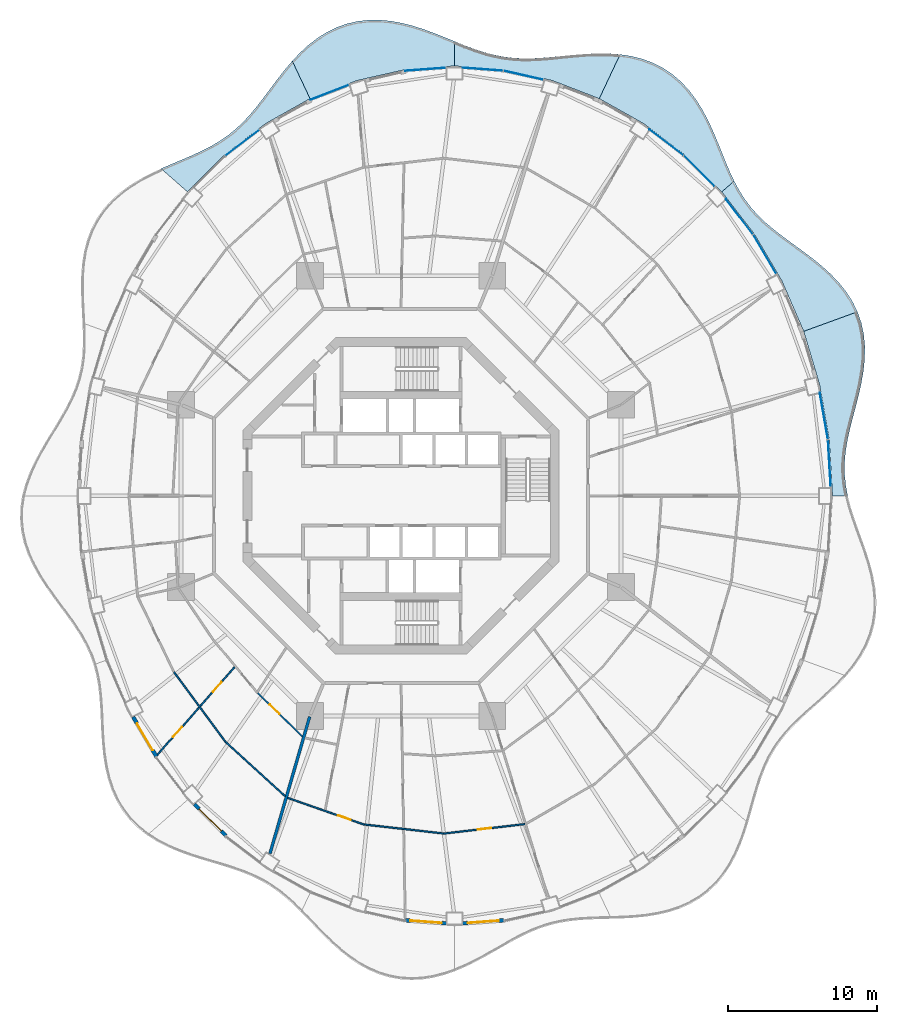
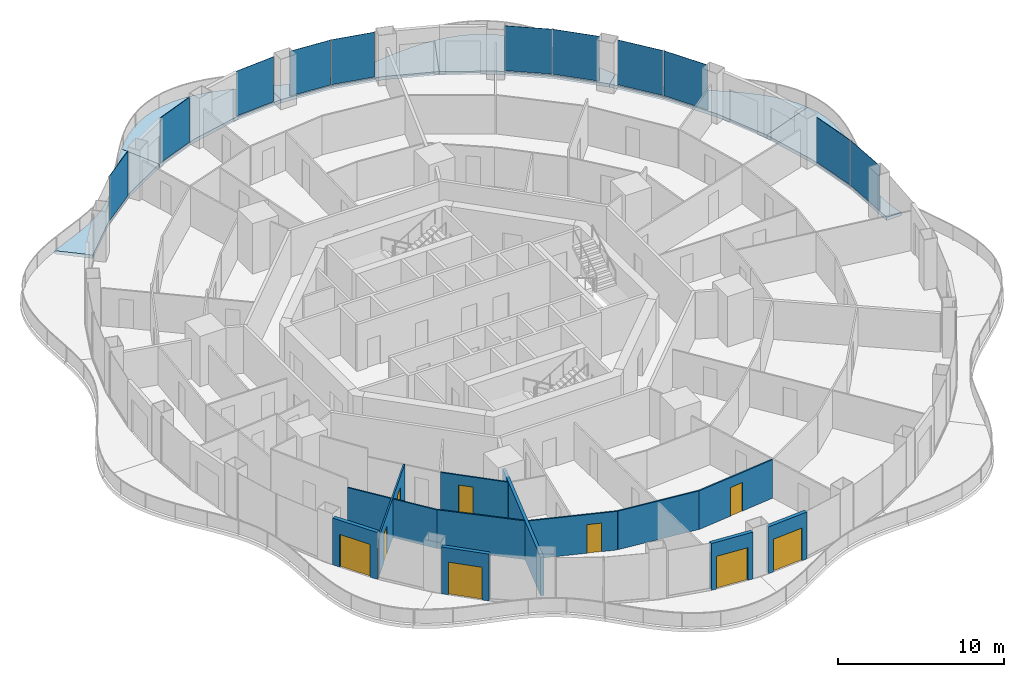
# One storey, part 10 of 19: 12 walls, 11 plates, 9 doors, 6 slabs, 9 openings, 11 elements without a shape of their own.
"""IFC4 building model written with IfcOpenShell, lengths in metres."""

from ifc_helpers import new_model, si_unit, direction, frame, frame_2d, origin, origin_2d, place, context, subcontext, project, spatial, polyline, rectangle, outline, extrude, material, layer, layer_set, type_object, element, fill, aggregate, save


model = new_model("IFC4")

# Units and contexts
model_context = context("Model", 3, precision=1e-05, world=origin(), true_north=direction((0.0, 1.0)))
body_context = subcontext(model_context, "Body", "Model", "MODEL_VIEW")
ifc_project = project(units=[si_unit("LENGTHUNIT", "METRE"), si_unit("AREAUNIT", "SQUARE_METRE"), si_unit("VOLUMEUNIT", "CUBIC_METRE"), si_unit("PLANEANGLEUNIT", "RADIAN"), si_unit("MASSUNIT", "GRAM", prefix="KILO")], contexts=[model_context])

# Site, building, storey
site_placement = place(None, origin())
site = spatial("IfcSite", under=ifc_project, at=site_placement, CompositionType="ELEMENT")
building_placement = place(site_placement, origin())
building = spatial("IfcBuilding", under=site, at=building_placement, Name="Nagisa Residences", CompositionType="ELEMENT")
storey_placement = place(building_placement, frame((0.0, 0.0, 173.300048828125)))
storey = spatial("IfcBuildingStorey", under=building, at=storey_placement, Name="L43", CompositionType="ELEMENT", Elevation=173.300048828125)

# Slabs
ifc_material_1 = material(Name="Concrete C40/50", Category="concrete")
ifc_layer_1 = layer(ifc_material_1, 0.25)
ifc_layer_set_1 = layer_set([ifc_layer_1], Name="BALCONY SLAB 250")
slab_type = type_object("IfcSlabType", Name="BALCONY SLAB 250", PredefinedType="FLOOR", material=ifc_layer_set_1)
slab_1_placement = place(storey_placement, frame((0.0, 0.0, -0.25)))
element("IfcSlab", 1, at=slab_1_placement, inside=storey, type_object=slab_type, Name="slab:L43:bal00", PredefinedType="FLOOR", context=body_context, shape_type="SweptSolid", body=[
    extrude(outline(polyline([(30.00048828125, 0.0), (29.86572265625, 0.723876953125), (29.79443359375, 1.4453125), (29.788818359375, 2.16943359375), (29.846923828125, 2.900634765625), (29.962158203125, 3.643310546875), (30.123779296875, 4.400634765625), (30.3173828125, 5.173828125), (30.526123046875, 5.963623046875), (30.731689453125, 6.767822265625), (30.91455078125, 7.583251953125), (31.056396484375, 8.405029296875), (31.1396484375, 9.226318359375), (31.150390625, 10.04052734375), (31.076904296875, 10.83984375), (30.912109375, 11.616455078125), (30.6533203125, 12.364013671875), (27.04345703125, 11.050048828125), (28.1103515625, 7.473388671875), (28.7578125, 3.76904296875), (28.97509765625, 0.0), (30.00048828125, 0.0)])), origin(), (0.0, 0.0, 1.0), 0.25),
])
slab_2_placement = place(storey_placement, frame((0.0, 0.0, -0.25)))
element("IfcSlab", 2, at=slab_2_placement, inside=storey, type_object=slab_type, Name="slab:L43:bal01", PredefinedType="FLOOR", context=body_context, shape_type="SweptSolid", body=[
    extrude(outline(polyline([(30.6533203125, 12.364013671875), (30.31396484375, 13.05517578125), (29.8935546875, 13.7099609375), (29.400146484375, 14.32666015625), (28.845947265625, 14.9052734375), (28.244873046875, 15.448486328125), (27.612548828125, 15.960693359375), (26.96484375, 16.4482421875), (26.31787109375, 16.9189453125), (25.68603515625, 17.3818359375), (25.081787109375, 17.846923828125), (24.515380859375, 18.323486328125), (23.993896484375, 18.82080078125), (23.520263671875, 19.3466796875), (23.094482421875, 19.9072265625), (22.713134765625, 20.506103515625), (22.36962890625, 21.144287109375), (21.542724609375, 20.417724609375), (23.7314453125, 17.577880859375), (25.575439453125, 14.4375), (27.04345703125, 11.050048828125), (30.6533203125, 12.364013671875)])), origin(), (0.0, 0.0, 1.0), 0.25),
])
slab_3_placement = place(storey_placement, frame((0.0, 0.0, -0.25)))
element("IfcSlab", 3, at=slab_3_placement, inside=storey, type_object=slab_type, Name="slab:L43:bal02", PredefinedType="FLOOR", context=body_context, shape_type="SweptSolid", body=[
    extrude(outline(polyline([(22.36962890625, 21.144287109375), (22.068603515625, 21.78759765625), (21.783447265625, 22.461181640625), (21.5029296875, 23.157958984375), (21.2158203125, 23.869873046875), (20.910888671875, 24.58642578125), (20.5771484375, 25.295654296875), (20.2060546875, 25.9853515625), (19.789794921875, 26.642822265625), (19.323486328125, 27.255615234375), (18.803955078125, 27.81298828125), (18.231201171875, 28.3056640625), (17.607421875, 28.726318359375), (16.9365234375, 29.071044921875), (16.22509765625, 29.338134765625), (15.48046875, 29.529296875), (14.711669921875, 29.649658203125), (13.310546875, 26.677001953125), (16.28759765625, 25.006591796875), (19.04736328125, 22.907958984375), (21.542724609375, 20.417724609375), (22.36962890625, 21.144287109375)])), origin(), (0.0, 0.0, 1.0), 0.25),
])
slab_4_placement = place(storey_placement, frame((0.0, 0.0, -0.25)))
element("IfcSlab", 4, at=slab_4_placement, inside=storey, type_object=slab_type, Name="slab:L43:bal03", PredefinedType="FLOOR", context=body_context, shape_type="SweptSolid", body=[
    extrude(outline(polyline([(14.711669921875, 29.649658203125), (13.9560546875, 29.70556640625), (13.194091796875, 29.712158203125), (12.433349609375, 29.68017578125), (11.679931640625, 29.6220703125), (10.939208984375, 29.550537109375), (10.214599609375, 29.478759765625), (9.50830078125, 29.41943359375), (8.820068359375, 29.38330078125), (8.14892578125, 29.380126953125), (7.491943359375, 29.416748046875), (6.845458984375, 29.498046875), (6.20458984375, 29.625244140625), (5.564453125, 29.796875), (4.919921875, 30.008544921875), (4.266357421875, 30.253173828125), (3.60009765625, 30.520751953125), (3.60009765625, 28.875), (6.912109375, 28.6279296875), (10.16748046875, 27.89111328125), (13.310546875, 26.677001953125), (14.711669921875, 29.649658203125)])), origin(), (0.0, 0.0, 1.0), 0.25),
])
slab_5_placement = place(storey_placement, frame((0.0, 0.0, -0.25)))
element("IfcSlab", 5, at=slab_5_placement, inside=storey, type_object=slab_type, Name="slab:L43:bal04", PredefinedType="FLOOR", context=body_context, shape_type="SweptSolid", body=[
    extrude(outline(polyline([(3.60009765625, 30.520751953125), (2.918212890625, 30.7998046875), (2.219970703125, 31.0771484375), (1.505126953125, 31.338623046875), (0.77587890625, 31.570556640625), (0.034912109375, 31.759521484375), (-0.712646484375, 31.89306640625), (-1.461669921875, 31.9609375), (-2.205322265625, 31.955078125), (-2.9375, 31.869873046875), (-3.651611328125, 31.703125), (-4.34130859375, 31.455322265625), (-5.002197265625, 31.129638671875), (-5.6298828125, 30.732421875), (-6.22265625, 30.2724609375), (-6.780029296875, 29.760498046875), (-7.303466796875, 29.2080078125), (-6.110595703125, 26.677001953125), (-2.967529296875, 27.89111328125), (0.287841796875, 28.6279296875), (3.60009765625, 28.875), (3.60009765625, 30.520751953125)])), origin(), (0.0, 0.0, 1.0), 0.25),
])
slab_6_placement = place(storey_placement, frame((0.0, 0.0, -0.25)))
element("IfcSlab", 6, at=slab_6_placement, inside=storey, type_object=slab_type, Name="slab:L43:bal05", PredefinedType="FLOOR", context=body_context, shape_type="SweptSolid", body=[
    extrude(outline(polyline([(-7.303466796875, 29.2080078125), (-7.814208984375, 28.606201171875), (-8.29736328125, 27.989501953125), (-8.760009765625, 27.372314453125), (-9.210693359375, 26.767578125), (-9.658447265625, 26.186279296875), (-10.112548828125, 25.63720703125), (-10.581787109375, 25.126953125), (-11.07373046875, 24.658935546875), (-11.594970703125, 24.2333984375), (-12.149658203125, 23.847900390625), (-12.739990234375, 23.497802734375), (-13.365234375, 23.17578125), (-14.022216796875, 22.872802734375), (-14.705322265625, 22.5791015625), (-15.406494140625, 22.28369140625), (-16.11572265625, 21.975830078125), (-14.3427734375, 20.417724609375), (-11.847412109375, 22.907958984375), (-9.08740234375, 25.006591796875), (-6.110595703125, 26.677001953125), (-7.303466796875, 29.2080078125)])), origin(), (0.0, 0.0, 1.0), 0.25),
])

# Curtain wall, plate
ifc_material_2 = material(Name="Concrete-coloured aluminium curtain wall system", Category="concrete")
ifc_layer_2 = layer(ifc_material_2, 0.159912109375)
ifc_layer_set_2 = layer_set([ifc_layer_2], Name="CW1 CURTAIN WALL")
curtain_wall_type = type_object("IfcCurtainWallType", Name="CW1 CURTAIN WALL", PredefinedType="NOTDEFINED", material=ifc_layer_set_2)
curtain_wall_1_placement = place(storey_placement, origin())
curtain_wall_1 = element("IfcCurtainWall", 7, at=curtain_wall_1_placement, inside=storey, type_object=curtain_wall_type, Name="cw:CW1:L43:00", PredefinedType="NOTDEFINED")
ifc_material_3 = material(Name="Clear laminated glass", Category="glass")
ifc_layer_3 = layer(ifc_material_3, 0.028076171875)
ifc_layer_set_3 = layer_set([ifc_layer_3], Name="CW1 GLASS PANEL")
plate_type = type_object("IfcPlateType", Name="CW1 GLASS PANEL", PredefinedType="CURTAIN_PANEL", material=ifc_layer_set_3)
plate_1_placement = place(storey_placement, frame((28.76904296875, 2.184326171875, 0.14990234375), z_axis=(0.0, 0.0, 1.0), x_axis=(-0.057503492216, 0.998345305184, 0.0)))
plate_1 = element("IfcPlate", 8, at=plate_1_placement, type_object=plate_type, Name="CW1 panel", PredefinedType="CURTAIN_PANEL", context=body_context, shape_type="SweptSolid", body=[
    extrude(rectangle(XDim=3.165283203125, YDim=0.028076171875, at=origin_2d()), origin(), (0.0, 0.0, 1.0), 3.2900390625),
])
aggregate(curtain_wall_1, [plate_1])

curtain_wall_2_placement = place(storey_placement, origin())
curtain_wall_2 = element("IfcCurtainWall", 9, at=curtain_wall_2_placement, inside=storey, type_object=curtain_wall_type, Name="cw:CW1:L43:01", PredefinedType="NOTDEFINED")
plate_2_placement = place(storey_placement, frame((28.3974609375, 5.365966796875, 0.14990234375), z_axis=(0.0, 0.0, 1.0), x_axis=(-0.172190868898, 0.985063604377, 0.0)))
plate_2 = element("IfcPlate", 10, at=plate_2_placement, type_object=plate_type, Name="CW1 panel", PredefinedType="CURTAIN_PANEL", context=body_context, shape_type="SweptSolid", body=[
    extrude(rectangle(XDim=3.150634765625, YDim=0.028076171875, at=origin_2d()), origin(), (0.0, 0.0, 1.0), 3.2900390625),
])
aggregate(curtain_wall_2, [plate_2])

curtain_wall_3_placement = place(storey_placement, origin())
curtain_wall_3 = element("IfcCurtainWall", 11, at=curtain_wall_3_placement, inside=storey, type_object=curtain_wall_type, Name="cw:CW1:L43:04", PredefinedType="NOTDEFINED")
plate_3_placement = place(storey_placement, frame((24.429931640625, 16.230224609375, 0.14990234375), z_axis=(0.0, 0.0, 1.0), x_axis=(-0.506348567002, 0.862328898214, 0.0)))
plate_3 = element("IfcPlate", 12, at=plate_3_placement, type_object=plate_type, Name="CW1 panel", PredefinedType="CURTAIN_PANEL", context=body_context, shape_type="SweptSolid", body=[
    extrude(rectangle(XDim=3.031982421875, YDim=0.028076171875, at=origin_2d()), origin(), (0.0, 0.0, 1.0), 3.2900390625),
])
aggregate(curtain_wall_3, [plate_3])

curtain_wall_4_placement = place(storey_placement, origin())
curtain_wall_4 = element("IfcCurtainWall", 13, at=curtain_wall_4_placement, inside=storey, type_object=curtain_wall_type, Name="cw:CW1:L43:05", PredefinedType="NOTDEFINED")
plate_4_placement = place(storey_placement, frame((22.723388671875, 18.7548828125, 0.14990234375), z_axis=(0.0, 0.0, 1.0), x_axis=(-0.610429828235, 0.792070340816, 0.0)))
plate_4 = element("IfcPlate", 14, at=plate_4_placement, type_object=plate_type, Name="CW1 panel", PredefinedType="CURTAIN_PANEL", context=body_context, shape_type="SweptSolid", body=[
    extrude(rectangle(XDim=2.97509765625, YDim=0.028076171875, at=origin_2d()), origin(), (0.0, 0.0, 1.0), 3.2900390625),
])
aggregate(curtain_wall_4, [plate_4])

curtain_wall_5_placement = place(storey_placement, origin())
curtain_wall_5 = element("IfcCurtainWall", 15, at=curtain_wall_5_placement, inside=storey, type_object=curtain_wall_type, Name="cw:CW1:L43:06", PredefinedType="NOTDEFINED")
plate_5_placement = place(storey_placement, frame((20.022705078125, 21.82177734375, 0.14990234375), z_axis=(0.0, 0.0, 1.0), x_axis=(-0.707835924016, 0.706376885714, 0.0)))
plate_5 = element("IfcPlate", 16, at=plate_5_placement, type_object=plate_type, Name="CW1 panel", PredefinedType="CURTAIN_PANEL", context=body_context, shape_type="SweptSolid", body=[
    extrude(rectangle(XDim=2.91552734375, YDim=0.028076171875, at=origin_2d()), origin(), (0.0, 0.0, 1.0), 3.2900390625),
])
aggregate(curtain_wall_5, [plate_5])

curtain_wall_6_placement = place(storey_placement, origin())
curtain_wall_6 = element("IfcCurtainWall", 17, at=curtain_wall_6_placement, inside=storey, type_object=curtain_wall_type, Name="cw:CW1:L43:07", PredefinedType="NOTDEFINED")
plate_6_placement = place(storey_placement, frame((17.81396484375, 23.745361328125, 0.14990234375), z_axis=(0.0, 0.0, 1.0), x_axis=(-0.79603132756, 0.605255421737, 0.0)))
plate_6 = element("IfcPlate", 18, at=plate_6_placement, type_object=plate_type, Name="CW1 panel", PredefinedType="CURTAIN_PANEL", context=body_context, shape_type="SweptSolid", body=[
    extrude(rectangle(XDim=2.85693359375, YDim=0.028076171875, at=origin_2d()), origin(), (0.0, 0.0, 1.0), 3.2900390625),
])
aggregate(curtain_wall_6, [plate_6])

curtain_wall_7_placement = place(storey_placement, origin())
curtain_wall_7 = element("IfcCurtainWall", 19, at=curtain_wall_7_placement, inside=storey, type_object=curtain_wall_type, Name="cw:CW1:L43:10", PredefinedType="NOTDEFINED")
plate_7_placement = place(storey_placement, frame((8.224609375, 28.248779296875, 0.14990234375), z_axis=(0.0, 0.0, 1.0), x_axis=(-0.975327274089, 0.2207639201, 0.0)))
plate_7 = element("IfcPlate", 20, at=plate_7_placement, type_object=plate_type, Name="CW1 panel", PredefinedType="CURTAIN_PANEL", context=body_context, shape_type="SweptSolid", body=[
    extrude(rectangle(XDim=2.727783203125, YDim=0.028076171875, at=origin_2d()), origin(), (0.0, 0.0, 1.0), 3.2900390625),
])
aggregate(curtain_wall_7, [plate_7])

curtain_wall_8_placement = place(storey_placement, origin())
curtain_wall_8 = element("IfcCurtainWall", 21, at=curtain_wall_8_placement, inside=storey, type_object=curtain_wall_type, Name="cw:CW1:L43:11", PredefinedType="NOTDEFINED")
plate_8_placement = place(storey_placement, frame((5.494384765625, 28.653564453125, 0.14990234375), z_axis=(0.0, 0.0, 1.0), x_axis=(-0.997230168512, 0.074377355493, 0.0)))
plate_8 = element("IfcPlate", 22, at=plate_8_placement, type_object=plate_type, Name="CW1 panel", PredefinedType="CURTAIN_PANEL", context=body_context, shape_type="SweptSolid", body=[
    extrude(rectangle(XDim=2.711181640625, YDim=0.028076171875, at=origin_2d()), origin(), (0.0, 0.0, 1.0), 3.2900390625),
])
aggregate(curtain_wall_8, [plate_8])

curtain_wall_9_placement = place(storey_placement, origin())
curtain_wall_9 = element("IfcCurtainWall", 23, at=curtain_wall_9_placement, inside=storey, type_object=curtain_wall_type, Name="cw:CW1:L43:12", PredefinedType="NOTDEFINED")
plate_9_placement = place(storey_placement, frame((1.645751953125, 28.64892578125, 0.14990234375), z_axis=(0.0, 0.0, 1.0), x_axis=(-0.997230168512, -0.074377355493, 0.0)))
plate_9 = element("IfcPlate", 24, at=plate_9_placement, type_object=plate_type, Name="CW1 panel", PredefinedType="CURTAIN_PANEL", context=body_context, shape_type="SweptSolid", body=[
    extrude(rectangle(XDim=2.711181640625, YDim=0.028076171875, at=origin_2d()), origin(), (0.0, 0.0, 1.0), 3.2900390625),
])
aggregate(curtain_wall_9, [plate_9])

curtain_wall_10_placement = place(storey_placement, origin())
curtain_wall_10 = element("IfcCurtainWall", 25, at=curtain_wall_10_placement, inside=storey, type_object=curtain_wall_type, Name="cw:CW1:L43:14", PredefinedType="NOTDEFINED")
plate_10_placement = place(storey_placement, frame((-4.794677734375, 27.099609375, 0.14990234375), z_axis=(0.0, 0.0, 1.0), x_axis=(-0.932825759707, -0.360327770268, 0.0)))
plate_10 = element("IfcPlate", 26, at=plate_10_placement, type_object=plate_type, Name="CW1 panel", PredefinedType="CURTAIN_PANEL", context=body_context, shape_type="SweptSolid", body=[
    extrude(rectangle(XDim=2.75927734375, YDim=0.028076171875, at=origin_2d()), origin(), (0.0, 0.0, 1.0), 3.2900390625),
])
aggregate(curtain_wall_10, [plate_10])

curtain_wall_11_placement = place(storey_placement, origin())
curtain_wall_11 = element("IfcCurtainWall", 27, at=curtain_wall_11_placement, inside=storey, type_object=curtain_wall_type, Name="cw:CW1:L43:16", PredefinedType="NOTDEFINED")
plate_11_placement = place(storey_placement, frame((-10.661865234375, 23.708984375, 0.14990234375), z_axis=(0.0, 0.0, 1.0), x_axis=(-0.79603132756, -0.605255421737, 0.0)))
plate_11 = element("IfcPlate", 28, at=plate_11_placement, type_object=plate_type, Name="CW1 panel", PredefinedType="CURTAIN_PANEL", context=body_context, shape_type="SweptSolid", body=[
    extrude(rectangle(XDim=2.85693359375, YDim=0.028076171875, at=origin_2d()), origin(), (0.0, 0.0, 1.0), 3.2900390625),
])
aggregate(curtain_wall_11, [plate_11])

# Walls
ifc_material_4 = material(Name="Gypsum board on steel studs", Category="steel")
ifc_layer_4 = layer(ifc_material_4, 0.199951171875)
ifc_layer_set_4 = layer_set([ifc_layer_4], Name="Apartment compartment wall EI60 200")
wall_type_1 = type_object("IfcWallType", Name="Apartment compartment wall EI60 200", PredefinedType="PARTITIONING", material=ifc_layer_set_4)
wall_1_placement = place(storey_placement, frame((-6.136962890625, -14.830078125, 0.0), z_axis=(0.0, 0.0, 1.0), x_axis=(-0.278461169897, -0.96044748782, 0.0)))
element("IfcWall", 29, at=wall_1_placement, inside=storey, type_object=wall_type_1, Name="wall:L43:u05", PredefinedType="PARTITIONING", context=body_context, shape_type="SweptSolid", body=[
    extrude(rectangle(XDim=9.5732421875, YDim=0.199951171875, at=frame_2d((4.78662109375, 0.0))), origin(), (0.0, 0.0, 1.0), 2.8369140625),
])
ifc_material_5 = material(Name="Gypsum board on steel studs", Category="steel")
ifc_layer_5 = layer(ifc_material_5, 0.10009765625)
ifc_layer_set_5 = layer_set([ifc_layer_5], Name="Apartment partition 100")
wall_type_2 = type_object("IfcWallType", Name="Apartment partition 100", PredefinedType="PARTITIONING", material=ifc_layer_set_5)
wall_2_placement = place(storey_placement, frame((-15.264892578125, -11.821044921875, 0.0), z_axis=(0.0, 0.0, 1.0), x_axis=(0.594711348772, -0.803939308432, 0.0)))
element("IfcWall", 30, at=wall_2_placement, inside=storey, type_object=wall_type_2, Name="wall:L43:u65", PredefinedType="PARTITIONING", context=body_context, shape_type="SweptSolid", body=[
    extrude(rectangle(XDim=5.87158203125, YDim=0.10009765625, at=frame_2d((2.935791015625, 0.0))), origin(), (0.0, 0.0, 1.0), 2.8369140625),
])

# Wall, openings, doors
wall_3_placement = place(storey_placement, frame((-11.16015625, -11.485107421875, 0.0), z_axis=(0.0, 0.0, 1.0), x_axis=(-0.661275898802, -0.750142776852, 0.0)))
wall_3 = element("IfcWall", 31, at=wall_3_placement, inside=storey, type_object=wall_type_2, Name="wall:L43:u66", PredefinedType="PARTITIONING", context=body_context, shape_type="SweptSolid", body=[
    extrude(rectangle(XDim=8.08251953125, YDim=0.10009765625, at=frame_2d((4.041259765625, 0.0))), origin(), (0.0, 0.0, 1.0), 2.905029296875),
])
opening_1_placement = place(wall_3_placement, frame((5.38232421875, 0.0, 0.0)))
opening_1 = element("IfcOpeningElement", 32, at=opening_1_placement, cuts=wall_3, Name="Opening L43-U35", PredefinedType="OPENING", context=body_context, shape_type="SweptSolid", body=[
    extrude(rectangle(XDim=0.89990234375, YDim=2.10009765625, at=frame_2d((0.449951171875, 1.050048828125))), frame((0.0, 0.06005859375, 0.0), z_axis=(0.0, -1.0, 0.0), x_axis=(1.0, 0.0, 0.0)), (0.0, 0.0, 1.0), 0.1201171875),
])
opening_2_placement = place(wall_3_placement, frame((1.34130859375, 0.0, 0.0)))
opening_2 = element("IfcOpeningElement", 33, at=opening_2_placement, cuts=wall_3, Name="Opening L43-U37", PredefinedType="OPENING", context=body_context, shape_type="SweptSolid", body=[
    extrude(rectangle(XDim=0.89990234375, YDim=2.10009765625, at=frame_2d((0.449951171875, 1.050048828125))), frame((0.0, 0.06005859375, 0.0), z_axis=(0.0, -1.0, 0.0), x_axis=(1.0, 0.0, 0.0)), (0.0, 0.0, 1.0), 0.1201171875),
])
ifc_material_6 = material(Name="Timber door set", Category="wood")
door_type_1 = type_object("IfcDoorType", Name="Apartment door 900x2100", OperationType="NOTDEFINED", PredefinedType="DOOR", material=ifc_material_6)
door_1_placement = place(opening_1_placement, origin())
door_1 = element("IfcDoor", 34, at=door_1_placement, inside=storey, type_object=door_type_1, Name="Door to master bedroom, Apartment 43C", OperationType="SINGLE_SWING_LEFT", OverallHeight=2.10009765625, OverallWidth=0.89990234375, PredefinedType="DOOR", context=body_context, shape_type="SweptSolid", body=[
    extrude(rectangle(XDim=0.89990234375, YDim=2.10009765625, at=frame_2d((0.449951171875, 1.050048828125))), frame((0.0, 0.02490234375, 0.0), z_axis=(0.0, -1.0, 0.0), x_axis=(1.0, 0.0, 0.0)), (0.0, 0.0, 1.0), 0.050048828125),
])
fill(opening_1, door_1)
door_2_placement = place(opening_2_placement, origin())
door_2 = element("IfcDoor", 35, at=door_2_placement, inside=storey, type_object=door_type_1, Name="Door to kitchen, Apartment 43C", OperationType="SINGLE_SWING_LEFT", OverallHeight=2.10009765625, OverallWidth=0.89990234375, PredefinedType="DOOR", context=body_context, shape_type="SweptSolid", body=[
    extrude(rectangle(XDim=0.89990234375, YDim=2.10009765625, at=frame_2d((0.449951171875, 1.050048828125))), frame((0.0, 0.02490234375, 0.0), z_axis=(0.0, -1.0, 0.0), x_axis=(1.0, 0.0, 0.0)), (0.0, 0.0, 1.0), 0.050048828125),
])
fill(opening_2, door_2)

# Wall, opening, door
wall_4_placement = place(storey_placement, frame((-9.62744140625, -13.238037109375, 0.0), z_axis=(0.0, 0.0, 1.0), x_axis=(0.716919058692, -0.697156412352, 0.0)))
wall_4 = element("IfcWall", 36, at=wall_4_placement, inside=storey, type_object=wall_type_2, Name="wall:L43:u68", PredefinedType="PARTITIONING", context=body_context, shape_type="SweptSolid", body=[
    extrude(rectangle(XDim=4.2001953125, YDim=0.10009765625, at=frame_2d((2.10009765625, 0.0))), origin(), (0.0, 0.0, 1.0), 2.8369140625),
])
opening_3_placement = place(wall_4_placement, frame((1.130126953125, 0.0, 0.0)))
opening_3 = element("IfcOpeningElement", 37, at=opening_3_placement, cuts=wall_4, Name="Opening L43-U39", PredefinedType="OPENING", context=body_context, shape_type="SweptSolid", body=[
    extrude(rectangle(XDim=0.89990234375, YDim=2.10009765625, at=frame_2d((0.449951171875, 1.050048828125))), frame((0.0, 0.06005859375, 0.0), z_axis=(0.0, -1.0, 0.0), x_axis=(1.0, 0.0, 0.0)), (0.0, 0.0, 1.0), 0.1201171875),
])
door_3_placement = place(opening_3_placement, origin())
door_3 = element("IfcDoor", 38, at=door_3_placement, inside=storey, type_object=door_type_1, Name="Door to laundry, Apartment 43C", OperationType="SINGLE_SWING_LEFT", OverallHeight=2.10009765625, OverallWidth=0.89990234375, PredefinedType="DOOR", context=body_context, shape_type="SweptSolid", body=[
    extrude(rectangle(XDim=0.89990234375, YDim=2.10009765625, at=frame_2d((0.449951171875, 1.050048828125))), frame((0.0, 0.02490234375, 0.0), z_axis=(0.0, -1.0, 0.0), x_axis=(1.0, 0.0, 0.0)), (0.0, 0.0, 1.0), 0.050048828125),
])
fill(opening_3, door_3)

# Wall
wall_5_placement = place(storey_placement, frame((-11.765625, -16.534912109375, 0.0), z_axis=(0.0, 0.0, 1.0), x_axis=(0.73807320557, -0.674720640872, 0.0)))
element("IfcWall", 39, at=wall_5_placement, inside=storey, type_object=wall_type_2, Name="wall:L43:u69", PredefinedType="PARTITIONING", context=body_context, shape_type="SweptSolid", body=[
    extrude(rectangle(XDim=5.39892578125, YDim=0.10009765625, at=frame_2d((2.699462890625, 0.0))), origin(), (0.0, 0.0, 1.0), 2.8369140625),
])

# Wall, opening, door
wall_6_placement = place(storey_placement, frame((-7.612548828125, -20.2783203125, 0.0), z_axis=(0.0, 0.0, 1.0), x_axis=(0.943918212431, -0.330179357684, 0.0)))
wall_6 = element("IfcWall", 40, at=wall_6_placement, inside=storey, type_object=wall_type_2, Name="wall:L43:u71", PredefinedType="PARTITIONING", context=body_context, shape_type="SweptSolid", body=[
    extrude(rectangle(XDim=5.46728515625, YDim=0.10009765625, at=frame_2d((2.733642578125, 0.0))), origin(), (0.0, 0.0, 1.0), 2.8369140625),
])
opening_4_placement = place(wall_6_placement, frame((3.587890625, 0.0, 0.0)))
opening_4 = element("IfcOpeningElement", 41, at=opening_4_placement, cuts=wall_6, Name="Opening L43-U49", PredefinedType="OPENING", context=body_context, shape_type="SweptSolid", body=[
    extrude(rectangle(XDim=0.89990234375, YDim=2.10009765625, at=frame_2d((0.449951171875, 1.050048828125))), frame((0.0, 0.06005859375, 0.0), z_axis=(0.0, -1.0, 0.0), x_axis=(1.0, 0.0, 0.0)), (0.0, 0.0, 1.0), 0.1201171875),
])
door_4_placement = place(opening_4_placement, frame((0.89990234375, 0.0, 0.0), x_axis=(-1.0, 0.0, 0.0)))
door_4 = element("IfcDoor", 42, at=door_4_placement, inside=storey, type_object=door_type_1, Name="Door to master bedroom, Apartment 43D", OperationType="SINGLE_SWING_RIGHT", OverallHeight=2.10009765625, OverallWidth=0.89990234375, PredefinedType="DOOR", context=body_context, shape_type="SweptSolid", body=[
    extrude(rectangle(XDim=0.89990234375, YDim=2.10009765625, at=frame_2d((0.449951171875, 1.050048828125))), frame((0.0, 0.02490234375, 0.0), z_axis=(0.0, -1.0, 0.0), x_axis=(1.0, 0.0, 0.0)), (0.0, 0.0, 1.0), 0.050048828125),
])
fill(opening_4, door_4)

# Wall
wall_7_placement = place(storey_placement, frame((-2.449462890625, -22.07275390625, 0.0), z_axis=(0.0, 0.0, 1.0), x_axis=(0.993660315081, -0.112424099879, 0.0)))
element("IfcWall", 43, at=wall_7_placement, inside=storey, type_object=wall_type_2, Name="wall:L43:u73", PredefinedType="PARTITIONING", context=body_context, shape_type="SweptSolid", body=[
    extrude(rectangle(XDim=5.32470703125, YDim=0.10009765625, at=frame_2d((2.662353515625, 0.0))), origin(), (0.0, 0.0, 1.0), 2.8369140625),
])

# Wall, opening, door
wall_8_placement = place(storey_placement, frame((2.841552734375, -22.682861328125, 0.0), z_axis=(0.0, 0.0, 1.0), x_axis=(0.993248590259, 0.116005335864, 0.0)))
wall_8 = element("IfcWall", 44, at=wall_8_placement, inside=storey, type_object=wall_type_2, Name="wall:L43:u77", PredefinedType="PARTITIONING", context=body_context, shape_type="SweptSolid", body=[
    extrude(rectangle(XDim=5.507568359375, YDim=0.10009765625, at=frame_2d((2.75390625, 0.0))), origin(), (0.0, 0.0, 1.0), 2.8369140625),
])
opening_5_placement = place(wall_8_placement, frame((2.328857421875, 0.0, 0.0)))
opening_5 = element("IfcOpeningElement", 45, at=opening_5_placement, cuts=wall_8, Name="Opening L43-U50", PredefinedType="OPENING", context=body_context, shape_type="SweptSolid", body=[
    extrude(rectangle(XDim=0.89990234375, YDim=2.10009765625, at=frame_2d((0.449951171875, 1.050048828125))), frame((0.0, 0.06005859375, 0.0), z_axis=(0.0, -1.0, 0.0), x_axis=(1.0, 0.0, 0.0)), (0.0, 0.0, 1.0), 0.1201171875),
])
door_5_placement = place(opening_5_placement, frame((0.89990234375, 0.0, 0.0), x_axis=(-1.0, 0.0, 0.0)))
door_5 = element("IfcDoor", 46, at=door_5_placement, inside=storey, type_object=door_type_1, Name="Door to living room, Apartment 43D", OperationType="SINGLE_SWING_LEFT", OverallHeight=2.10009765625, OverallWidth=0.89990234375, PredefinedType="DOOR", context=body_context, shape_type="SweptSolid", body=[
    extrude(rectangle(XDim=0.89990234375, YDim=2.10009765625, at=frame_2d((0.449951171875, 1.050048828125))), frame((0.0, 0.02490234375, 0.0), z_axis=(0.0, -1.0, 0.0), x_axis=(1.0, 0.0, 0.0)), (0.0, 0.0, 1.0), 0.050048828125),
])
fill(opening_5, door_5)

ifc_material_7 = material(Name="Precast concrete C40/50", Category="concrete")
ifc_layer_6 = layer(ifc_material_7, 0.25)
ifc_layer_set_6 = layer_set([ifc_layer_6], Name="BALCONY DOOR WALL 250")
wall_type_3 = type_object("IfcWallType", Name="BALCONY DOOR WALL 250", PredefinedType="SOLIDWALL", material=ifc_layer_set_6)
wall_9_placement = place(storey_placement, frame((-16.423583984375, -17.5146484375, 0.0), z_axis=(0.0, 0.0, 1.0), x_axis=(-0.506309086483, 0.862352079458, 0.0)))
wall_9 = element("IfcWall", 47, at=wall_9_placement, inside=storey, type_object=wall_type_3, Name="wall:L43:bay28", PredefinedType="SOLIDWALL", context=body_context, shape_type="SweptSolid", body=[
    extrude(rectangle(XDim=3.091796875, YDim=0.25, at=frame_2d((1.5458984375, 0.0))), origin(), (0.0, 0.0, 1.0), 3.43994140625),
])
opening_6_placement = place(wall_9_placement, frame((0.495849609375, 0.0, 0.0)))
opening_6 = element("IfcOpeningElement", 48, at=opening_6_placement, cuts=wall_9, Name="Opening BD-L43-10", PredefinedType="OPENING", context=body_context, shape_type="SweptSolid", body=[
    extrude(rectangle(XDim=2.10009765625, YDim=2.39990234375, at=frame_2d((1.050048828125, 1.199951171875))), frame((0.0, 0.135009765625, 0.0), z_axis=(0.0, -1.0, 0.0), x_axis=(1.0, 0.0, 0.0)), (0.0, 0.0, 1.0), 0.27001953125),
])
ifc_material_8 = material(Name="Aluminium and clear glass", Category="aluminium")
door_type_2 = type_object("IfcDoorType", Name="BALCONY SLIDING DOOR 2100x2400", OperationType="SLIDING_TO_LEFT", PredefinedType="DOOR", material=ifc_material_8)
door_6_placement = place(opening_6_placement, origin())
door_6 = element("IfcDoor", 49, at=door_6_placement, inside=storey, type_object=door_type_2, Name="door:L43:bay28", OperationType="SLIDING_TO_LEFT", OverallHeight=2.39990234375, OverallWidth=2.10009765625, PredefinedType="DOOR", context=body_context, shape_type="SweptSolid", body=[
    extrude(rectangle(XDim=2.10009765625, YDim=2.39990234375, at=frame_2d((1.050048828125, 1.199951171875))), frame((0.0, 0.02490234375, 0.0), z_axis=(0.0, -1.0, 0.0), x_axis=(1.0, 0.0, 0.0)), (0.0, 0.0, 1.0), 0.050048828125),
])
fill(opening_6, door_6)

wall_10_placement = place(storey_placement, frame((-11.759033203125, -22.819580078125, 0.0), z_axis=(0.0, 0.0, 1.0), x_axis=(-0.707844845069, 0.706367946122, 0.0)))
wall_10 = element("IfcWall", 50, at=wall_10_placement, inside=storey, type_object=wall_type_3, Name="wall:L43:bay30", PredefinedType="SOLIDWALL", context=body_context, shape_type="SweptSolid", body=[
    extrude(rectangle(XDim=2.9755859375, YDim=0.25, at=frame_2d((1.48779296875, 0.0))), origin(), (0.0, 0.0, 1.0), 3.43994140625),
])
opening_7_placement = place(wall_10_placement, frame((0.437744140625, 0.0, 0.0)))
opening_7 = element("IfcOpeningElement", 51, at=opening_7_placement, cuts=wall_10, Name="Opening BD-L43-11", PredefinedType="OPENING", context=body_context, shape_type="SweptSolid", body=[
    extrude(rectangle(XDim=2.10009765625, YDim=2.39990234375, at=frame_2d((1.050048828125, 1.199951171875))), frame((0.0, 0.135009765625, 0.0), z_axis=(0.0, -1.0, 0.0), x_axis=(1.0, 0.0, 0.0)), (0.0, 0.0, 1.0), 0.27001953125),
])
door_7_placement = place(opening_7_placement, origin())
door_7 = element("IfcDoor", 52, at=door_7_placement, inside=storey, type_object=door_type_2, Name="door:L43:bay30", OperationType="SLIDING_TO_LEFT", OverallHeight=2.39990234375, OverallWidth=2.10009765625, PredefinedType="DOOR", context=body_context, shape_type="SweptSolid", body=[
    extrude(rectangle(XDim=2.10009765625, YDim=2.39990234375, at=frame_2d((1.050048828125, 1.199951171875))), frame((0.0, 0.02490234375, 0.0), z_axis=(0.0, -1.0, 0.0), x_axis=(1.0, 0.0, 0.0)), (0.0, 0.0, 1.0), 0.050048828125),
])
fill(opening_7, door_7)

wall_11_placement = place(storey_placement, frame((3.060791015625, -28.70947265625, 0.0), z_axis=(0.0, 0.0, 1.0), x_axis=(-0.997232064422, 0.074351931305, 0.0)))
wall_11 = element("IfcWall", 53, at=wall_11_placement, inside=storey, type_object=wall_type_3, Name="wall:L43:bay35", PredefinedType="SOLIDWALL", context=body_context, shape_type="SweptSolid", body=[
    extrude(rectangle(XDim=2.771240234375, YDim=0.25, at=frame_2d((1.3857421875, 0.0))), origin(), (0.0, 0.0, 1.0), 3.43994140625),
])
opening_8_placement = place(wall_11_placement, frame((0.335693359375, 0.0, 0.0)))
opening_8 = element("IfcOpeningElement", 54, at=opening_8_placement, cuts=wall_11, Name="Opening BD-L43-12", PredefinedType="OPENING", context=body_context, shape_type="SweptSolid", body=[
    extrude(rectangle(XDim=2.10009765625, YDim=2.39990234375, at=frame_2d((1.050048828125, 1.199951171875))), frame((0.0, 0.135009765625, 0.0), z_axis=(0.0, -1.0, 0.0), x_axis=(1.0, 0.0, 0.0)), (0.0, 0.0, 1.0), 0.27001953125),
])
door_8_placement = place(opening_8_placement, origin())
door_8 = element("IfcDoor", 55, at=door_8_placement, inside=storey, type_object=door_type_2, Name="door:L43:bay35", OperationType="SLIDING_TO_LEFT", OverallHeight=2.39990234375, OverallWidth=2.10009765625, PredefinedType="DOOR", context=body_context, shape_type="SweptSolid", body=[
    extrude(rectangle(XDim=2.10009765625, YDim=2.39990234375, at=frame_2d((1.050048828125, 1.199951171875))), frame((0.0, 0.02490234375, 0.0), z_axis=(0.0, -1.0, 0.0), x_axis=(1.0, 0.0, 0.0)), (0.0, 0.0, 1.0), 0.050048828125),
])
fill(opening_8, door_8)

wall_12_placement = place(storey_placement, frame((6.90283203125, -28.50341796875, 0.0), z_axis=(0.0, 0.0, 1.0), x_axis=(-0.997232064422, -0.074351931305, 0.0)))
wall_12 = element("IfcWall", 56, at=wall_12_placement, inside=storey, type_object=wall_type_3, Name="wall:L43:bay36", PredefinedType="SOLIDWALL", context=body_context, shape_type="SweptSolid", body=[
    extrude(rectangle(XDim=2.771240234375, YDim=0.25, at=frame_2d((1.3857421875, 0.0))), origin(), (0.0, 0.0, 1.0), 3.43994140625),
])
opening_9_placement = place(wall_12_placement, frame((0.335693359375, 0.0, 0.0)))
opening_9 = element("IfcOpeningElement", 57, at=opening_9_placement, cuts=wall_12, Name="Opening BD-L43-13", PredefinedType="OPENING", context=body_context, shape_type="SweptSolid", body=[
    extrude(rectangle(XDim=2.10009765625, YDim=2.39990234375, at=frame_2d((1.050048828125, 1.199951171875))), frame((0.0, 0.135009765625, 0.0), z_axis=(0.0, -1.0, 0.0), x_axis=(1.0, 0.0, 0.0)), (0.0, 0.0, 1.0), 0.27001953125),
])
door_9_placement = place(opening_9_placement, origin())
door_9 = element("IfcDoor", 58, at=door_9_placement, inside=storey, type_object=door_type_2, Name="door:L43:bay36", OperationType="SLIDING_TO_LEFT", OverallHeight=2.39990234375, OverallWidth=2.10009765625, PredefinedType="DOOR", context=body_context, shape_type="SweptSolid", body=[
    extrude(rectangle(XDim=2.10009765625, YDim=2.39990234375, at=frame_2d((1.050048828125, 1.199951171875))), frame((0.0, 0.02490234375, 0.0), z_axis=(0.0, -1.0, 0.0), x_axis=(1.0, 0.0, 0.0)), (0.0, 0.0, 1.0), 0.050048828125),
])
fill(opening_9, door_9)

save(model, "model.ifc")
